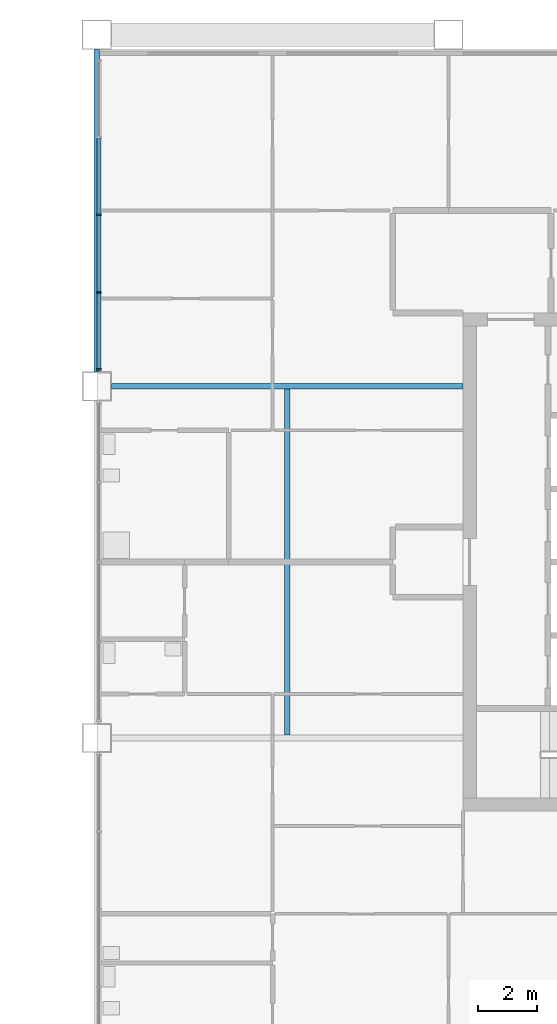
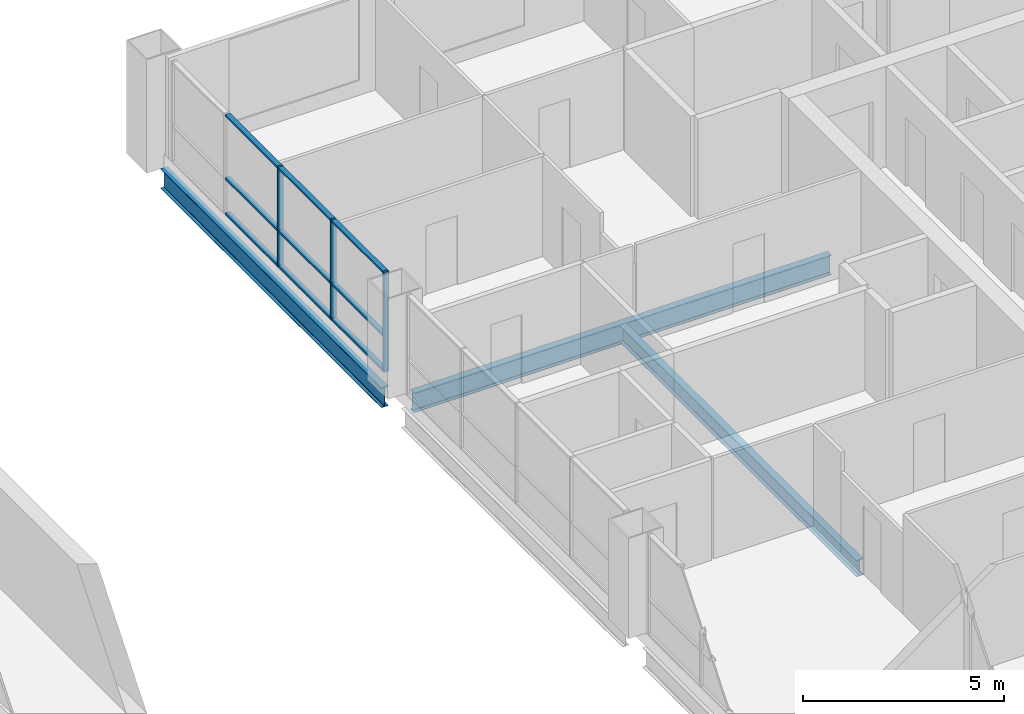
# One storey, part 4 of 12: 12 members, 3 beams, 1 element without a shape of its own.
"""IFC4 building model written with IfcOpenShell, lengths in metres."""

from ifc_helpers import new_model, si_unit, direction, frame, origin, origin_2d, place, context, subcontext, project, spatial, rectangle, i_section, extrude, material, material_profile, profile_set, type_object, element, aggregate, save


model = new_model("IFC4")

# Units and contexts
model_context = context("Model", 3, precision=1e-05, world=origin(), true_north=direction((0.0, 1.0)))
body_context = subcontext(model_context, "Body", "Model", "MODEL_VIEW")
ifc_project = project(units=[si_unit("LENGTHUNIT", "METRE"), si_unit("AREAUNIT", "SQUARE_METRE"), si_unit("VOLUMEUNIT", "CUBIC_METRE"), si_unit("PLANEANGLEUNIT", "RADIAN"), si_unit("MASSUNIT", "GRAM", prefix="KILO")], contexts=[model_context])

# Site, building, storey
site_placement = place(None, origin())
site = spatial("IfcSite", under=ifc_project, at=site_placement, CompositionType="ELEMENT")
building_placement = place(site_placement, origin())
building = spatial("IfcBuilding", under=site, at=building_placement, Name="Kitamizu Gate Tower and Museum", CompositionType="ELEMENT")
storey_placement = place(building_placement, frame((0.0, 0.0, 255.89990234375)))
storey = spatial("IfcBuildingStorey", under=building, at=storey_placement, Name="L69", CompositionType="ELEMENT", Elevation=255.89990234375)

# Beams
ifc_material_1 = material(Name="Steel SM490A", Category="steel")
ifc_material_profile_1 = material_profile(ifc_material_1, i_section(OverallWidth=0.199951171875, OverallDepth=0.5, WebThickness=0.010009765625, FlangeThickness=0.01611328125, FilletRadius=0.02001953125, at=origin_2d()), Name="H-500x200x10x16")
ifc_profile_set_1 = profile_set([ifc_material_profile_1], Name="Steel SM490A")
beam_type_1 = type_object("IfcBeamType", Name="Floor beam FB1 H 500x200x10x16", PredefinedType="BEAM", material=ifc_profile_set_1)
beam_1_placement = place(storey_placement, frame((42.5, 24.10009765625, -0.64990234375), z_axis=(0.0, 1.0, 0.0), x_axis=(-1.0, 0.0, 0.0)))
element("IfcBeam", 1, at=beam_1_placement, inside=storey, type_object=beam_type_1, Name="Floor beam FB1 L69-1", PredefinedType="BEAM", context=body_context, shape_type="SweptSolid", body=[
    extrude(i_section(OverallWidth=0.199951171875, OverallDepth=0.5, WebThickness=0.010009765625, FlangeThickness=0.01611328125, FilletRadius=0.02001953125, at=origin_2d()), origin(), (0.0, 0.0, 1.0), 11.7998046875),
])
ifc_material_2 = material(Name="Steel SM490A", Category="steel")
ifc_material_profile_2 = material_profile(ifc_material_2, i_section(OverallWidth=0.199951171875, OverallDepth=0.60009765625, WebThickness=0.010986328125, FlangeThickness=0.01708984375, FilletRadius=0.02197265625, at=origin_2d()), Name="H-600x200x11x17")
ifc_profile_set_2 = profile_set([ifc_material_profile_2], Name="Steel SM490A")
beam_type_2 = type_object("IfcBeamType", Name="Floor girder FG1 H 600x200x11x17", PredefinedType="BEAM", material=ifc_profile_set_2)
beam_2_placement = place(storey_placement, frame((36.0, 36.5, -0.699951171875), z_axis=(0.0, 1.0, 0.0), x_axis=(-1.0, 0.0, 0.0)))
element("IfcBeam", 2, at=beam_2_placement, inside=storey, type_object=beam_type_2, Name="Floor girder FG1 x36 L69", PredefinedType="BEAM", context=body_context, shape_type="SweptSolid", body=[
    extrude(i_section(OverallWidth=0.199951171875, OverallDepth=0.60009765625, WebThickness=0.010986328125, FlangeThickness=0.01708984375, FilletRadius=0.02197265625, at=origin_2d()), origin(), (0.0, 0.0, 1.0), 11.0),
])
beam_3_placement = place(storey_placement, frame((36.5, 36.0, -0.699951171875), z_axis=(1.0, 0.0, 0.0), x_axis=(0.0, 1.0, 0.0)))
element("IfcBeam", 3, at=beam_3_placement, inside=storey, type_object=beam_type_2, Name="Floor girder FG1 y36 L69", PredefinedType="BEAM", context=body_context, shape_type="SweptSolid", body=[
    extrude(i_section(OverallWidth=0.199951171875, OverallDepth=0.60009765625, WebThickness=0.010986328125, FlangeThickness=0.01708984375, FilletRadius=0.02197265625, at=origin_2d()), origin(), (0.0, 0.0, 1.0), 12.0),
])

# Curtain wall, members
ifc_material_3 = material(Name="Bronze anodised aluminium frame, tinted triple glazing", Category="aluminium")
curtain_wall_type = type_object("IfcCurtainWallType", Name="CURTAIN WALL TYPE C SKY AMENITY", PredefinedType="NOTDEFINED", material=ifc_material_3)
curtain_wall_placement = place(storey_placement, origin())
curtain_wall = element("IfcCurtainWall", 4, at=curtain_wall_placement, inside=storey, type_object=curtain_wall_type, Name="Curtain wall CW-C portal E L69", PredefinedType="NOTDEFINED")
ifc_material_4 = material(Name="Bronze anodised aluminium", Category="aluminium")
ifc_material_profile_3 = material_profile(ifc_material_4, rectangle(XDim=0.06005859375, YDim=0.14990234375, at=origin_2d()), Name="AL 60X150")
ifc_profile_set_3 = profile_set([ifc_material_profile_3], Name="Bronze anodised aluminium")
member_type_1 = type_object("IfcMemberType", Name="MULLION 60 X 150 TYPE C", PredefinedType="MULLION", material=ifc_profile_set_3)
member_1_placement = place(storey_placement, frame((36.074951171875, 36.5849609375, 0.0), z_axis=(0.0, 0.0, 1.0), x_axis=(0.0, 1.0, 0.0)))
member_1 = element("IfcMember", 5, at=member_1_placement, type_object=member_type_1, Name="CW-C mullion 1", PredefinedType="MULLION", context=body_context, shape_type="SweptSolid", body=[
    extrude(rectangle(XDim=0.06005859375, YDim=0.14990234375, at=origin_2d()), origin(), (0.0, 0.0, 1.0), 3.050048828125),
])
member_2_placement = place(storey_placement, frame((36.074951171875, 39.203857421875, 0.0), z_axis=(0.0, 0.0, 1.0), x_axis=(0.0, 1.0, 0.0)))
member_2 = element("IfcMember", 6, at=member_2_placement, type_object=member_type_1, Name="CW-C mullion 2", PredefinedType="MULLION", context=body_context, shape_type="SweptSolid", body=[
    extrude(rectangle(XDim=0.06005859375, YDim=0.14990234375, at=origin_2d()), origin(), (0.0, 0.0, 1.0), 3.050048828125),
])
member_3_placement = place(storey_placement, frame((36.074951171875, 41.8525390625, 0.0), z_axis=(0.0, 0.0, 1.0), x_axis=(0.0, 1.0, 0.0)))
member_3 = element("IfcMember", 7, at=member_3_placement, type_object=member_type_1, Name="CW-C mullion 3", PredefinedType="MULLION", context=body_context, shape_type="SweptSolid", body=[
    extrude(rectangle(XDim=0.06005859375, YDim=0.14990234375, at=origin_2d()), origin(), (0.0, 0.0, 1.0), 3.050048828125),
])
ifc_material_5 = material(Name="Bronze anodised aluminium", Category="aluminium")
ifc_material_profile_4 = material_profile(ifc_material_5, rectangle(XDim=0.139892578125, YDim=0.06005859375, at=origin_2d()), Name="AL 60X140")
ifc_profile_set_4 = profile_set([ifc_material_profile_4], Name="Bronze anodised aluminium")
member_type_2 = type_object("IfcMemberType", Name="TRANSOM 60 X 140 TYPE C", PredefinedType="USERDEFINED", material=ifc_profile_set_4)
member_4_placement = place(storey_placement, frame((36.074951171875, 36.614990234375, 0.030029296875), z_axis=(0.0, 1.0, 0.0), x_axis=(-1.0, 0.0, 0.0)))
member_4 = element("IfcMember", 8, at=member_4_placement, type_object=member_type_2, Name="CW-C transom 1.1", ObjectType="TRANSOM", PredefinedType="USERDEFINED", context=body_context, shape_type="SweptSolid", body=[
    extrude(rectangle(XDim=0.139892578125, YDim=0.06005859375, at=origin_2d()), origin(), (0.0, 0.0, 1.0), 2.558837890625),
])
member_5_placement = place(storey_placement, frame((36.074951171875, 36.614990234375, 1.10009765625), z_axis=(0.0, 1.0, 0.0), x_axis=(-1.0, 0.0, 0.0)))
member_5 = element("IfcMember", 9, at=member_5_placement, type_object=member_type_2, Name="CW-C transom 1.2", ObjectType="TRANSOM", PredefinedType="USERDEFINED", context=body_context, shape_type="SweptSolid", body=[
    extrude(rectangle(XDim=0.139892578125, YDim=0.06005859375, at=origin_2d()), origin(), (0.0, 0.0, 1.0), 2.558837890625),
])
member_6_placement = place(storey_placement, frame((36.074951171875, 36.614990234375, 3.02001953125), z_axis=(0.0, 1.0, 0.0), x_axis=(-1.0, 0.0, 0.0)))
member_6 = element("IfcMember", 10, at=member_6_placement, type_object=member_type_2, Name="CW-C transom 1.3", ObjectType="TRANSOM", PredefinedType="USERDEFINED", context=body_context, shape_type="SweptSolid", body=[
    extrude(rectangle(XDim=0.139892578125, YDim=0.06005859375, at=origin_2d()), origin(), (0.0, 0.0, 1.0), 2.558837890625),
])
member_7_placement = place(storey_placement, frame((36.074951171875, 39.233642578125, 0.030029296875), z_axis=(0.0, 1.0, 0.0), x_axis=(-1.0, 0.0, 0.0)))
member_7 = element("IfcMember", 11, at=member_7_placement, type_object=member_type_2, Name="CW-C transom 2.1", ObjectType="TRANSOM", PredefinedType="USERDEFINED", context=body_context, shape_type="SweptSolid", body=[
    extrude(rectangle(XDim=0.139892578125, YDim=0.06005859375, at=origin_2d()), origin(), (0.0, 0.0, 1.0), 2.5888671875),
])
member_8_placement = place(storey_placement, frame((36.074951171875, 39.233642578125, 1.10009765625), z_axis=(0.0, 1.0, 0.0), x_axis=(-1.0, 0.0, 0.0)))
member_8 = element("IfcMember", 12, at=member_8_placement, type_object=member_type_2, Name="CW-C transom 2.2", ObjectType="TRANSOM", PredefinedType="USERDEFINED", context=body_context, shape_type="SweptSolid", body=[
    extrude(rectangle(XDim=0.139892578125, YDim=0.06005859375, at=origin_2d()), origin(), (0.0, 0.0, 1.0), 2.5888671875),
])
member_9_placement = place(storey_placement, frame((36.074951171875, 39.233642578125, 3.02001953125), z_axis=(0.0, 1.0, 0.0), x_axis=(-1.0, 0.0, 0.0)))
member_9 = element("IfcMember", 13, at=member_9_placement, type_object=member_type_2, Name="CW-C transom 2.3", ObjectType="TRANSOM", PredefinedType="USERDEFINED", context=body_context, shape_type="SweptSolid", body=[
    extrude(rectangle(XDim=0.139892578125, YDim=0.06005859375, at=origin_2d()), origin(), (0.0, 0.0, 1.0), 2.5888671875),
])
member_10_placement = place(storey_placement, frame((36.074951171875, 41.882568359375, 0.030029296875), z_axis=(0.0, 1.0, 0.0), x_axis=(-1.0, 0.0, 0.0)))
member_10 = element("IfcMember", 14, at=member_10_placement, type_object=member_type_2, Name="CW-C transom 3.1", ObjectType="TRANSOM", PredefinedType="USERDEFINED", context=body_context, shape_type="SweptSolid", body=[
    extrude(rectangle(XDim=0.139892578125, YDim=0.06005859375, at=origin_2d()), origin(), (0.0, 0.0, 1.0), 2.588623046875),
])
member_11_placement = place(storey_placement, frame((36.074951171875, 41.882568359375, 1.10009765625), z_axis=(0.0, 1.0, 0.0), x_axis=(-1.0, 0.0, 0.0)))
member_11 = element("IfcMember", 15, at=member_11_placement, type_object=member_type_2, Name="CW-C transom 3.2", ObjectType="TRANSOM", PredefinedType="USERDEFINED", context=body_context, shape_type="SweptSolid", body=[
    extrude(rectangle(XDim=0.139892578125, YDim=0.06005859375, at=origin_2d()), origin(), (0.0, 0.0, 1.0), 2.588623046875),
])
member_12_placement = place(storey_placement, frame((36.074951171875, 41.882568359375, 3.02001953125), z_axis=(0.0, 1.0, 0.0), x_axis=(-1.0, 0.0, 0.0)))
member_12 = element("IfcMember", 16, at=member_12_placement, type_object=member_type_2, Name="CW-C transom 3.3", ObjectType="TRANSOM", PredefinedType="USERDEFINED", context=body_context, shape_type="SweptSolid", body=[
    extrude(rectangle(XDim=0.139892578125, YDim=0.06005859375, at=origin_2d()), origin(), (0.0, 0.0, 1.0), 2.588623046875),
])
aggregate(curtain_wall, [member_1, member_2, member_3, member_4, member_5, member_6, member_7, member_8, member_9, member_10, member_11, member_12])

save(model, "model.ifc")
